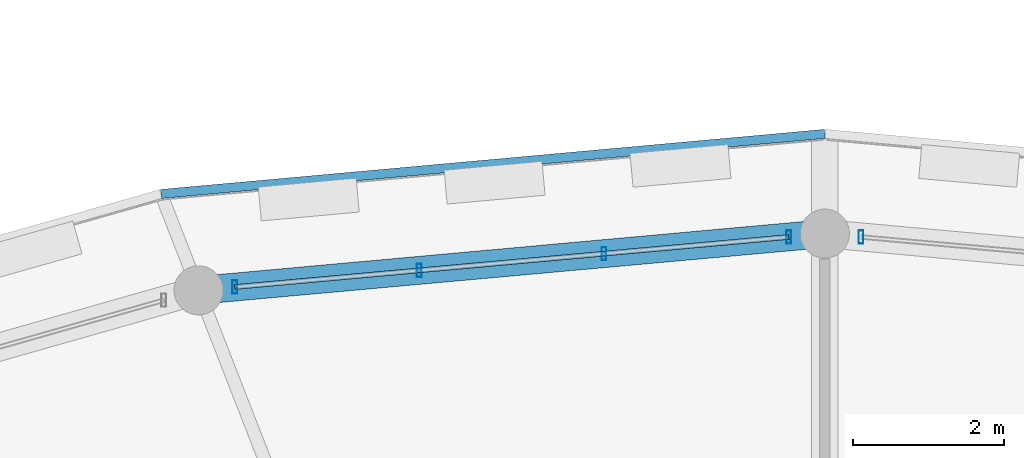
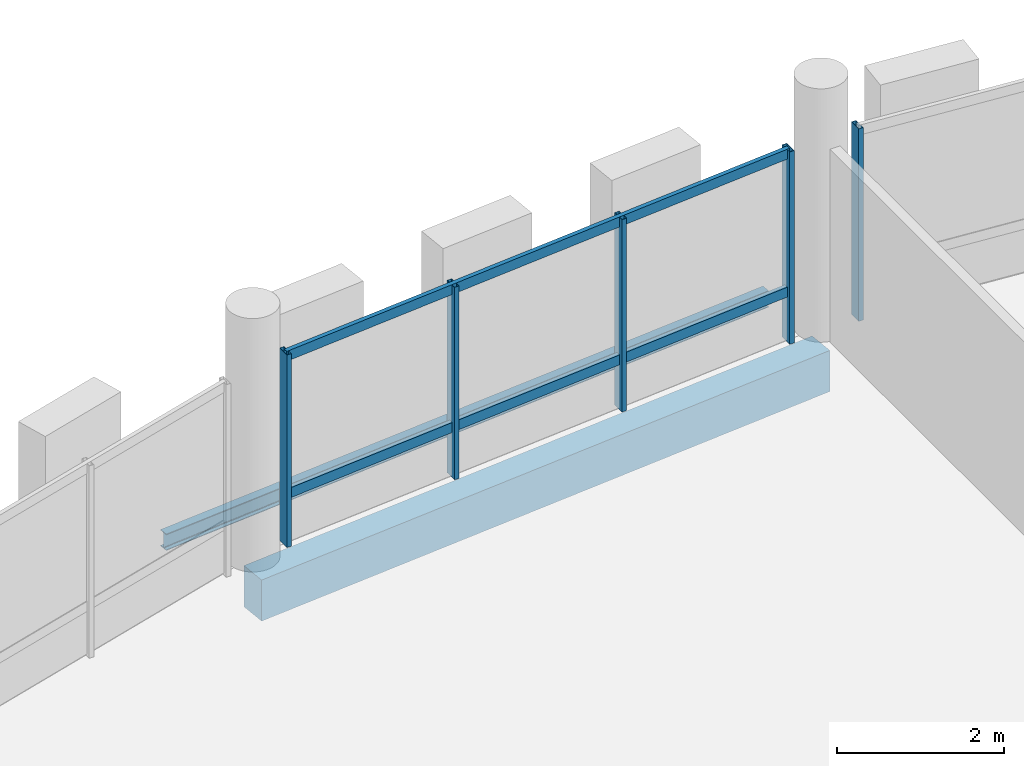
# One storey, part 48 of 84: 7 members, 2 beams, 2 elements without a shape of their own.
"""IFC4 building model written with IfcOpenShell, lengths in metres."""

from ifc_helpers import new_model, si_unit, direction, frame, origin, origin_2d, place, context, subcontext, project, spatial, rectangle, hollow_rectangle, i_section, extrude, material, material_profile, profile_set, type_object, element, aggregate, save


model = new_model("IFC4")

# Units and contexts
model_context = context("Model", 3, precision=1e-05, world=origin(), true_north=direction((0.0, 1.0)))
body_context = subcontext(model_context, "Body", "Model", "MODEL_VIEW")
ifc_project = project(units=[si_unit("LENGTHUNIT", "METRE"), si_unit("AREAUNIT", "SQUARE_METRE"), si_unit("VOLUMEUNIT", "CUBIC_METRE"), si_unit("PLANEANGLEUNIT", "RADIAN"), si_unit("MASSUNIT", "GRAM", prefix="KILO")], contexts=[model_context])

# Site, building, storey
site_placement = place(None, origin())
site = spatial("IfcSite", under=ifc_project, at=site_placement, CompositionType="ELEMENT")
building_placement = place(site_placement, origin())
building = spatial("IfcBuilding", under=site, at=building_placement, Name="Zornivar Specialist Clinic", CompositionType="ELEMENT")
storey_placement = place(building_placement, frame((0.0, 0.0, 12.300048828125)))
storey = spatial("IfcBuildingStorey", under=building, at=storey_placement, Name="L03", CompositionType="ELEMENT", Elevation=12.300048828125)

# Beams
ifc_material_1 = material(Name="Concrete C30/37", Category="concrete")
ifc_material_profile_1 = material_profile(ifc_material_1, rectangle(XDim=0.3701171875, YDim=0.60009765625, at=origin_2d()), Name="RC 370x600")
ifc_profile_set_1 = profile_set([ifc_material_profile_1], Name="Concrete C30/37")
beam_type_1 = type_object("IfcBeamType", Name="BM-RC-SPANDREL-370x600", PredefinedType="SPANDREL", material=ifc_profile_set_1)
beam_1_placement = place(storey_placement, frame((93.60009765625, 79.60009765625, -0.5400390625), z_axis=(-0.99592467027, -0.09018897465, 0.0), x_axis=(0.09018897465, -0.99592467027, 0.0)))
element("IfcBeam", 1, at=beam_1_placement, inside=storey, type_object=beam_type_1, Name="bm:V1:L03:outring:06", PredefinedType="SPANDREL", context=body_context, shape_type="SweptSolid", body=[
    extrude(rectangle(XDim=0.3701171875, YDim=0.60009765625, at=origin_2d()), origin(), (0.0, 0.0, 1.0), 8.31591796875),
])
ifc_material_2 = material(Name="Steel S355J2", Category="steel")
ifc_material_profile_2 = material_profile(ifc_material_2, i_section(OverallWidth=0.1201171875, OverallDepth=0.239990234375, WebThickness=0.006103515625, FlangeThickness=0.009765625, FilletRadius=0.014892578125, at=origin_2d()), Name="IPE 240")
ifc_profile_set_2 = profile_set([ifc_material_profile_2], Name="Steel S355J2")
beam_type_2 = type_object("IfcBeamType", Name="BM-STL-IPE240", PredefinedType="JOIST", material=ifc_profile_set_2)
beam_2_placement = place(storey_placement, frame((93.60009765625, 80.919921875, -0.360107421875), z_axis=(-0.995925605957, -0.090178641592, 0.0), x_axis=(0.090178641592, -0.995925605957, 0.0)))
element("IfcBeam", 2, at=beam_2_placement, inside=storey, type_object=beam_type_2, Name="bm:V1:L03:balring:06", PredefinedType="JOIST", context=body_context, shape_type="SweptSolid", body=[
    extrude(i_section(OverallWidth=0.1201171875, OverallDepth=0.239990234375, WebThickness=0.006103515625, FlangeThickness=0.009765625, FilletRadius=0.014892578125, at=origin_2d()), origin(), (0.0, 0.0, 1.0), 8.81494140625),
])

# Curtain wall, member
ifc_material_3 = material(Name="Aluminium and Low-E Glass Curtain Wall", Category="aluminium")
curtain_wall_type = type_object("IfcCurtainWallType", Name="CW-DRUM-FACET", PredefinedType="NOTDEFINED", material=ifc_material_3)
curtain_wall_1_placement = place(storey_placement, origin())
curtain_wall_1 = element("IfcCurtainWall", 3, at=curtain_wall_1_placement, inside=storey, type_object=curtain_wall_type, Name="cw:V1:L03:c05", PredefinedType="NOTDEFINED")
ifc_material_4 = material(Name="Aluminium AW-6060", Category="aluminium")
ifc_material_profile_3 = material_profile(ifc_material_4, hollow_rectangle(XDim=0.06494140625, YDim=0.175048828125, WallThickness=0.00439453125, at=origin_2d()), Name="ALU 65x175x4.5")
ifc_profile_set_3 = profile_set([ifc_material_profile_3], Name="Aluminium AW-6060")
member_type_1 = type_object("IfcMemberType", Name="CWM-MUL-175", PredefinedType="MULLION", material=ifc_profile_set_3)
member_1_placement = place(storey_placement, frame((94.077880859375, 79.556884765625, 0.0), z_axis=(0.0, 0.0, 1.0), x_axis=(1.0, 0.0, 0.0)))
member_1 = element("IfcMember", 4, at=member_1_placement, type_object=member_type_1, Name="cw:V1:L03:c05:mul:3", PredefinedType="MULLION", context=body_context, shape_type="SweptSolid", body=[
    extrude(hollow_rectangle(XDim=0.06494140625, YDim=0.175048828125, WallThickness=0.00439453125, at=origin_2d()), origin(), (0.0, 0.0, 1.0), 2.81005859375),
])
aggregate(curtain_wall_1, [member_1])

# Curtain wall, members
curtain_wall_2_placement = place(storey_placement, origin())
curtain_wall_2 = element("IfcCurtainWall", 5, at=curtain_wall_2_placement, inside=storey, type_object=curtain_wall_type, Name="cw:V1:L03:c06", PredefinedType="NOTDEFINED")
member_2_placement = place(storey_placement, frame((93.1220703125, 79.555908203125, 0.0), z_axis=(0.0, 0.0, 1.0), x_axis=(1.0, 0.0, 0.0)))
member_2 = element("IfcMember", 6, at=member_2_placement, type_object=member_type_1, Name="cw:V1:L03:c06:mul:0", PredefinedType="MULLION", context=body_context, shape_type="SweptSolid", body=[
    extrude(hollow_rectangle(XDim=0.06494140625, YDim=0.175048828125, WallThickness=0.00439453125, at=origin_2d()), origin(), (0.0, 0.0, 1.0), 2.81005859375),
])
member_3_placement = place(storey_placement, frame((90.679931640625, 79.3349609375, 0.0), z_axis=(0.0, 0.0, 1.0), x_axis=(1.0, 0.0, 0.0)))
member_3 = element("IfcMember", 7, at=member_3_placement, type_object=member_type_1, Name="cw:V1:L03:c06:mul:1", PredefinedType="MULLION", context=body_context, shape_type="SweptSolid", body=[
    extrude(hollow_rectangle(XDim=0.06494140625, YDim=0.175048828125, WallThickness=0.00439453125, at=origin_2d()), origin(), (0.0, 0.0, 1.0), 2.81005859375),
])
member_4_placement = place(storey_placement, frame((88.238037109375, 79.114013671875, 0.0), z_axis=(0.0, 0.0, 1.0), x_axis=(1.0, 0.0, 0.0)))
member_4 = element("IfcMember", 8, at=member_4_placement, type_object=member_type_1, Name="cw:V1:L03:c06:mul:2", PredefinedType="MULLION", context=body_context, shape_type="SweptSolid", body=[
    extrude(hollow_rectangle(XDim=0.06494140625, YDim=0.175048828125, WallThickness=0.00439453125, at=origin_2d()), origin(), (0.0, 0.0, 1.0), 2.81005859375),
])
member_5_placement = place(storey_placement, frame((85.7958984375, 78.89306640625, 0.0), z_axis=(0.0, 0.0, 1.0), x_axis=(1.0, 0.0, 0.0)))
member_5 = element("IfcMember", 9, at=member_5_placement, type_object=member_type_1, Name="cw:V1:L03:c06:mul:3", PredefinedType="MULLION", context=body_context, shape_type="SweptSolid", body=[
    extrude(hollow_rectangle(XDim=0.06494140625, YDim=0.175048828125, WallThickness=0.00439453125, at=origin_2d()), origin(), (0.0, 0.0, 1.0), 2.81005859375),
])
ifc_material_5 = material(Name="Aluminium AW-6060", Category="aluminium")
ifc_material_profile_4 = material_profile(ifc_material_5, hollow_rectangle(XDim=0.06005859375, YDim=0.14501953125, WallThickness=0.00390625, at=origin_2d()), Name="ALU 60x145x4")
ifc_profile_set_4 = profile_set([ifc_material_profile_4], Name="Aluminium AW-6060")
member_type_2 = type_object("IfcMemberType", Name="CWM-TRN-145", PredefinedType="USERDEFINED", material=ifc_profile_set_4)
member_6_placement = place(storey_placement, frame((93.1220703125, 79.555908203125, 0.73095703125), z_axis=(-0.995943921343, -0.089976138722, 0.0), x_axis=(0.089976138722, -0.995943921343, 0.0)))
member_6 = element("IfcMember", 10, at=member_6_placement, type_object=member_type_2, Name="cw:V1:L03:c06:trn:0", ObjectType="TRANSOM", PredefinedType="USERDEFINED", context=body_context, shape_type="SweptSolid", body=[
    extrude(hollow_rectangle(XDim=0.06005859375, YDim=0.14501953125, WallThickness=0.00390625, at=origin_2d()), origin(), (0.0, 0.0, 1.0), 7.35595703125),
])
member_7_placement = place(storey_placement, frame((93.1220703125, 79.555908203125, 2.744873046875), z_axis=(-0.995943921343, -0.089976138722, 0.0), x_axis=(0.089976138722, -0.995943921343, 0.0)))
member_7 = element("IfcMember", 11, at=member_7_placement, type_object=member_type_2, Name="cw:V1:L03:c06:trn:1", ObjectType="TRANSOM", PredefinedType="USERDEFINED", context=body_context, shape_type="SweptSolid", body=[
    extrude(hollow_rectangle(XDim=0.06005859375, YDim=0.14501953125, WallThickness=0.00390625, at=origin_2d()), origin(), (0.0, 0.0, 1.0), 7.35595703125),
])
aggregate(curtain_wall_2, [member_2, member_3, member_4, member_5, member_6, member_7])

save(model, "model.ifc")
